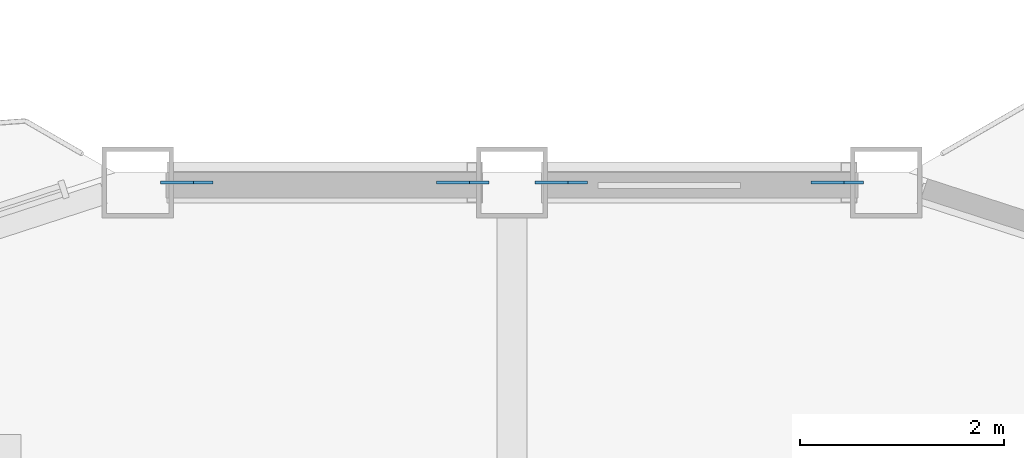
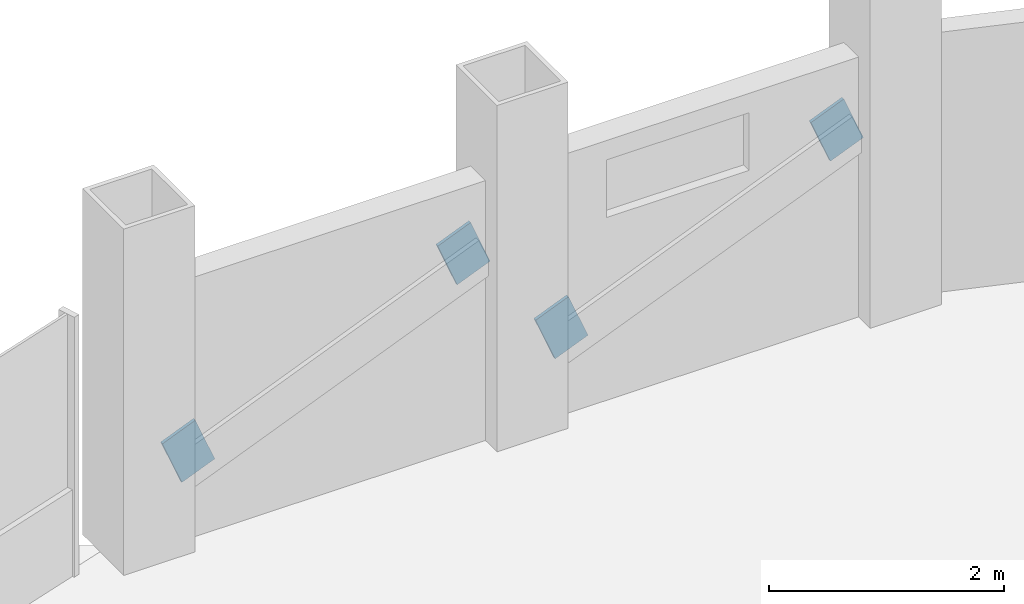
# One storey, part 18 of 23: 4 discrete accessories.
"""IFC4 building model written with IfcOpenShell, lengths in metres."""

import ifcopenshell
import ifcopenshell.guid

model = None  # the IFC model being written
_history = None  # IfcOwnerHistory: only IFC2X3 demands one
_inside = {}  # id of a spatial element -> (the spatial element, [elements in it])
_under = {}  # id of a project, library or spatial element -> (it, [spatial elements below it])
_declared = {}  # id of a project -> (the project, [libraries it declares])
_typed = {}  # id of a type object -> (the type object, [elements of that type])
_made_of = {}  # id of a material, layer set ... -> (it, [elements and type objects made of it])


def new_model(schema):
    """Start an empty IFC model of exactly this schema.

    Asked for "IFC4X3", IfcOpenShell would pick the latest addendum, in which some entities
    have other attributes; the version numbers below select the first issue.
    IFC2X3 requires an IfcOwnerHistory on every rooted entity: one is made here for all.
    """
    global model, _history
    if schema == "IFC4X3":
        model = ifcopenshell.file(schema_version=(4, 3, 0, 0))
    else:
        model = ifcopenshell.file(schema=schema)
    _inside.clear()
    _under.clear()
    _declared.clear()
    _typed.clear()
    _made_of.clear()
    _history = None
    if model.schema == "IFC2X3":
        org = make("IfcOrganization", Name="unknown")
        user = make(
            "IfcPersonAndOrganization",
            ThePerson=make("IfcPerson", FamilyName="unknown"),
            TheOrganization=org,
        )
        app = make(
            "IfcApplication",
            ApplicationDeveloper=org,
            Version="unknown",
            ApplicationFullName="unknown",
            ApplicationIdentifier="unknown",
        )
        _history = make(
            "IfcOwnerHistory",
            OwningUser=user,
            OwningApplication=app,
            ChangeAction="ADDED",
            CreationDate=0,
        )
    return model


def make(cls, **values):
    """One entity of the class cls with the attributes given. An attribute that is None is left unset."""
    return model.create_entity(
        cls, **{name: value for name, value in values.items() if value is not None}
    )


def rooted(cls, **values):
    """An entity with a GlobalId (a new one), such as an element, a storey or a relation."""
    return make(cls, GlobalId=ifcopenshell.guid.new(), OwnerHistory=_history, **values)


def si_unit(unit_type, name, prefix=None):
    """IfcSIUnit, for example si_unit("LENGTHUNIT", "METRE", prefix="MILLI")."""
    return make("IfcSIUnit", UnitType=unit_type, Prefix=prefix, Name=name)


def assignment(units):
    """IfcUnitAssignment: the units of a project."""
    return None if units is None else make("IfcUnitAssignment", Units=units)


def point(xyz):
    """IfcCartesianPoint."""
    return None if xyz is None else make("IfcCartesianPoint", Coordinates=xyz)


def direction(xyz):
    """IfcDirection."""
    return None if xyz is None else make("IfcDirection", DirectionRatios=xyz)


def frame(location, z_axis=None, x_axis=None):
    """IfcAxis2Placement3D, a coordinate frame: its origin and axes. An axis left out is left unset."""
    return make(
        "IfcAxis2Placement3D",
        Location=point(location),
        Axis=direction(z_axis),
        RefDirection=direction(x_axis),
    )


def frame_2d(location, x_axis=None):
    """IfcAxis2Placement2D, a coordinate frame in the plane: its origin and x axis."""
    return make(
        "IfcAxis2Placement2D", Location=point(location), RefDirection=direction(x_axis)
    )


def origin():
    """The frame at (0, 0, 0) with its axes left unset."""
    return frame((0.0, 0.0, 0.0))


def origin_2d():
    """The frame at (0, 0) in the plane with its x axis left unset."""
    return frame_2d((0.0, 0.0))


def place(relative_to, where):
    """IfcLocalPlacement: puts the frame where relative to a parent placement (None: the world)."""
    return make(
        "IfcLocalPlacement", PlacementRelTo=relative_to, RelativePlacement=where
    )


def context(
    kind, dimensions, precision=None, world=None, true_north=None, identifier=None
):
    """IfcGeometricRepresentationContext, for example the 3D "Model" context."""
    return make(
        "IfcGeometricRepresentationContext",
        ContextIdentifier=identifier,
        ContextType=kind,
        CoordinateSpaceDimension=dimensions,
        Precision=precision,
        WorldCoordinateSystem=world,
        TrueNorth=true_north,
    )


def subcontext(parent, identifier, kind, view, scale=None):
    """IfcGeometricRepresentationSubContext, for example "Body" below "Model"."""
    return make(
        "IfcGeometricRepresentationSubContext",
        ContextIdentifier=identifier,
        ContextType=kind,
        ParentContext=parent,
        TargetScale=scale,
        TargetView=view,
    )


def project(units=None, contexts=None):
    """IfcProject with its units and contexts."""
    return rooted(
        "IfcProject",
        Name="project",
        RepresentationContexts=contexts,
        UnitsInContext=assignment(units),
    )


def spatial(cls, under=None, at=None, **own):
    """A site, building, storey or space (cls), placed at a placement, below another one or the project."""
    s = rooted(cls, ObjectPlacement=at, **own)
    if under is not None:
        _under.setdefault(under.id(), (under, []))[1].append(s)
    return s


def profile(cls, at=None, kind="AREA", **sizes):
    """A parametric profile (cls). Its sizes go by their IFC names, for example OverallWidth=200.0."""
    return make(cls, ProfileType=kind, Position=at, **sizes)


def rectangle(**sizes):
    """IfcRectangleProfileDef."""
    return profile("IfcRectangleProfileDef", **sizes)


def extrude(swept, where, along, depth):
    """IfcExtrudedAreaSolid: the profile swept, set in the frame where, extruded along a direction by depth."""
    return make(
        "IfcExtrudedAreaSolid",
        SweptArea=swept,
        Position=where,
        ExtrudedDirection=direction(along),
        Depth=depth,
    )


def shape(context_of_items, identifier, shape_type, items):
    """IfcShapeRepresentation: the items that make up one representation, for example the "Body"."""
    return make(
        "IfcShapeRepresentation",
        ContextOfItems=context_of_items,
        RepresentationIdentifier=identifier,
        RepresentationType=shape_type,
        Items=items,
    )


def material(Name=None, Category=None):
    """IfcMaterial."""
    return make("IfcMaterial", Name=Name, Category=Category)


def material_profile(
    of_material, cross_section, Name=None, Category=None, Priority=None
):
    """IfcMaterialProfile: a cross section and its material."""
    return make(
        "IfcMaterialProfile",
        Name=Name,
        Material=of_material,
        Profile=cross_section,
        Priority=Priority,
        Category=Category,
    )


def profile_set(profiles, Name=None, composite=None):
    """IfcMaterialProfileSet."""
    return make(
        "IfcMaterialProfileSet",
        Name=Name,
        MaterialProfiles=profiles,
        CompositeProfile=composite,
    )


def made_of(thing, what):
    """Note that an element or type object is made of a material, layer set ...; save() writes the relation."""
    if what is not None:
        _made_of.setdefault(what.id(), (what, []))[1].append(thing)
    return thing


def type_object(cls, material=None, **own):
    """A type object (cls), such as IfcWallType, which elements share."""
    return made_of(rooted(cls, **own), material)


def element(
    cls,
    number,
    at=None,
    inside=None,
    cuts=None,
    type_object=None,
    material=None,
    context=None,
    identifier="Body",
    shape_type=None,
    held_by="IfcProductDefinitionShape",
    body=None,
    shapes=None,
    **own,
):
    """One element of the class cls, such as IfcWall. Its Tag is "e" and its number.

    at: its placement. inside: the storey or other place that contains it. cuts: it is an
    opening in that element (IfcRelVoidsElement). A single representation is given by context,
    identifier, shape_type and body (its items); several are given by shapes. held_by: the class
    of the entity that holds the representations. save() writes the other relations.
    """
    e = rooted(cls, Tag="e%d" % number, ObjectPlacement=at, **own)
    if body is not None:
        shapes = [shape(context, identifier, shape_type, body)]
    if shapes is not None:
        e.Representation = make(held_by, Representations=shapes)
    if inside is not None:
        _inside.setdefault(inside.id(), (inside, []))[1].append(e)
    if cuts is not None:
        rooted(
            "IfcRelVoidsElement", RelatingBuildingElement=cuts, RelatedOpeningElement=e
        )
    if type_object is not None:
        _typed.setdefault(type_object.id(), (type_object, []))[1].append(e)
    return made_of(e, material)


def aggregate(whole, parts):
    """IfcRelAggregates: a whole, such as a stair, and the parts it consists of."""
    return rooted("IfcRelAggregates", RelatingObject=whole, RelatedObjects=parts)


def save(model, path):
    """Write the relations noted so far, then the file.

    IfcRelAggregates (storeys below a building ...), IfcRelContainedInSpatialStructure (elements
    in a storey), IfcRelDefinesByType, IfcRelAssociatesMaterial and IfcRelDeclares: one each for
    every whole, place, type object, material and project.
    """
    for whole, parts in _under.values():
        aggregate(whole, parts)
    for where, things in _inside.values():
        rooted(
            "IfcRelContainedInSpatialStructure",
            RelatedElements=things,
            RelatingStructure=where,
        )
    for kind, things in _typed.values():
        rooted("IfcRelDefinesByType", RelatedObjects=things, RelatingType=kind)
    for what, things in _made_of.values():
        rooted("IfcRelAssociatesMaterial", RelatedObjects=things, RelatingMaterial=what)
    for by, libraries in _declared.values():
        rooted("IfcRelDeclares", RelatingContext=by, RelatedDefinitions=libraries)
    model.write(path)


model = new_model("IFC4")

# Units and contexts
model_context = context("Model", 3, precision=1e-05, world=origin(), true_north=direction((0.0, 1.0)))
body_context = subcontext(model_context, "Body", "Model", "MODEL_VIEW")
ifc_project = project(units=[si_unit("LENGTHUNIT", "METRE"), si_unit("AREAUNIT", "SQUARE_METRE"), si_unit("VOLUMEUNIT", "CUBIC_METRE"), si_unit("PLANEANGLEUNIT", "RADIAN"), si_unit("MASSUNIT", "GRAM", prefix="KILO")], contexts=[model_context])

# Site, building, storey
site_placement = place(None, origin())
site = spatial("IfcSite", under=ifc_project, at=site_placement, CompositionType="ELEMENT")
building_placement = place(site_placement, origin())
building = spatial("IfcBuilding", under=site, at=building_placement, Name="Cormorant Prow Tower", CompositionType="ELEMENT")
storey_placement = place(building_placement, frame((0.0, 0.0, 263.39990234375)))
storey = spatial("IfcBuildingStorey", under=building, at=storey_placement, Name="L59", CompositionType="ELEMENT", Elevation=263.39990234375)

# Discrete accessories
ifc_material = material(Name="Structural steel ASTM A500 Gr C", Category="steel")
ifc_material_profile = material_profile(ifc_material, rectangle(XDim=0.031982421875, YDim=0.506103515625, at=origin_2d()), Name="Gusset plate 32x506")
ifc_profile_set = profile_set([ifc_material_profile], Name="Structural steel ASTM A500 Gr C")
discrete_accessory_type = type_object("IfcDiscreteAccessoryType", Name="Gusset plate 32x506", PredefinedType="BRACKET", material=ifc_profile_set)
discrete_accessory_1_placement = place(storey_placement, frame((0.643310546875, 32.073486328125, 0.863037109375), z_axis=(-0.925757954086, 0.0, -0.378116662483), x_axis=(0.0, -1.0, 0.0)))
element("IfcDiscreteAccessory", 1, at=discrete_accessory_1_placement, inside=storey, type_object=discrete_accessory_type, Name="Gusset plate GP2 L59.N00.g0", PredefinedType="BRACKET", context=body_context, shape_type="SweptSolid", body=[
    extrude(rectangle(XDim=0.031982421875, YDim=0.506103515625, at=origin_2d()), origin(), (0.0, 0.0, 1.0), 0.349853515625),
])
discrete_accessory_2_placement = place(storey_placement, frame((3.027099609375, 32.073486328125, 1.837890625), z_axis=(0.925513623242, 0.0, 0.378714316067), x_axis=(0.0, 1.0, 0.0)))
element("IfcDiscreteAccessory", 2, at=discrete_accessory_2_placement, inside=storey, type_object=discrete_accessory_type, Name="Gusset plate GP2 L59.N00.g1", PredefinedType="BRACKET", context=body_context, shape_type="SweptSolid", body=[
    extrude(rectangle(XDim=0.031982421875, YDim=0.506103515625, at=origin_2d()), origin(), (0.0, 0.0, 1.0), 0.35009765625),
])
discrete_accessory_3_placement = place(storey_placement, frame((-3.027099609375, 32.073486328125, 0.863037109375), z_axis=(-0.925757954086, 0.0, -0.378116662483), x_axis=(0.0, -1.0, 0.0)))
element("IfcDiscreteAccessory", 3, at=discrete_accessory_3_placement, inside=storey, type_object=discrete_accessory_type, Name="Gusset plate GP2 L59.N01.g0", PredefinedType="BRACKET", context=body_context, shape_type="SweptSolid", body=[
    extrude(rectangle(XDim=0.031982421875, YDim=0.506103515625, at=origin_2d()), origin(), (0.0, 0.0, 1.0), 0.349853515625),
])
discrete_accessory_4_placement = place(storey_placement, frame((-0.643310546875, 32.073486328125, 1.837890625), z_axis=(0.925513623242, 0.0, 0.378714316067), x_axis=(0.0, 1.0, 0.0)))
element("IfcDiscreteAccessory", 4, at=discrete_accessory_4_placement, inside=storey, type_object=discrete_accessory_type, Name="Gusset plate GP2 L59.N01.g1", PredefinedType="BRACKET", context=body_context, shape_type="SweptSolid", body=[
    extrude(rectangle(XDim=0.031982421875, YDim=0.506103515625, at=origin_2d()), origin(), (0.0, 0.0, 1.0), 0.35009765625),
])

save(model, "model.ifc")
